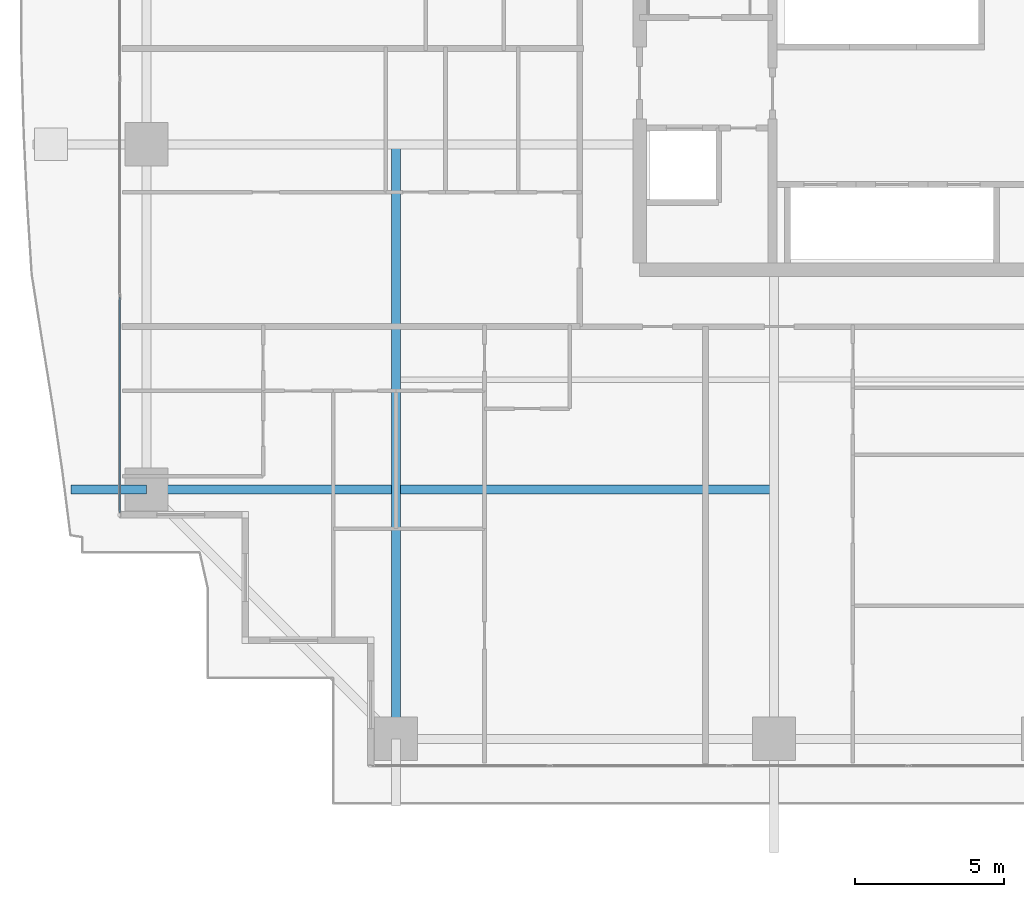
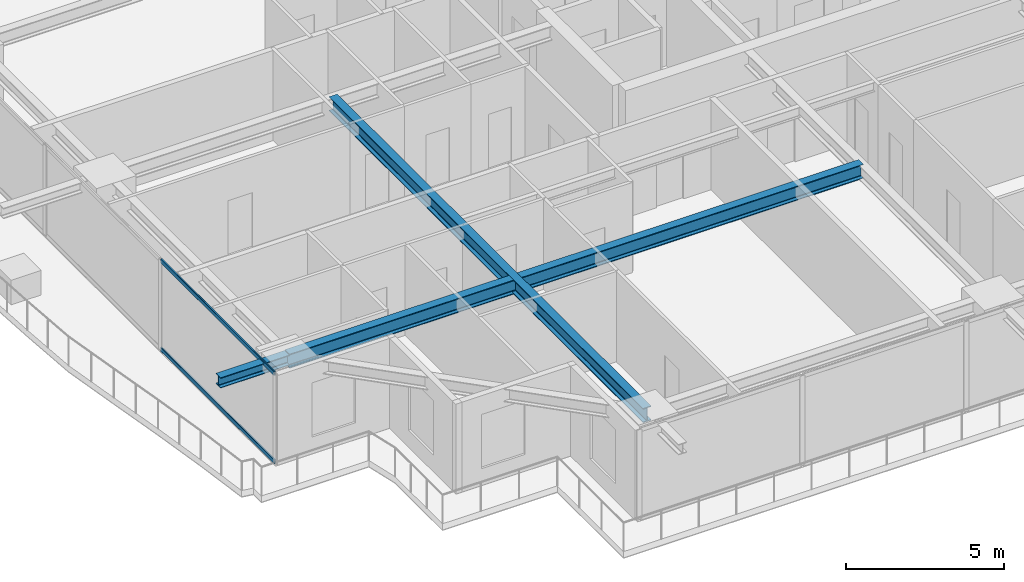
# One storey, part 3 of 35: 3 beams, 2 members, 1 element without a shape of its own.
"""IFC4 building model written with IfcOpenShell, lengths in metres."""

from ifc_helpers import new_model, si_unit, direction, frame, origin, origin_2d, place, context, subcontext, project, spatial, hollow_rectangle, i_section, extrude, source, transform, mapped, material, layer, layer_set, material_profile, profile_set, type_object, element, aggregate, save


model = new_model("IFC4")

# Units and contexts
model_context = context("Model", 3, precision=1e-05, world=origin(), true_north=direction((0.0, 1.0)))
body_context = subcontext(model_context, "Body", "Model", "MODEL_VIEW")
ifc_project = project(units=[si_unit("LENGTHUNIT", "METRE"), si_unit("AREAUNIT", "SQUARE_METRE"), si_unit("VOLUMEUNIT", "CUBIC_METRE"), si_unit("PLANEANGLEUNIT", "RADIAN"), si_unit("MASSUNIT", "GRAM", prefix="KILO")], contexts=[model_context])

# Site, building, storey
site_placement = place(None, origin())
site = spatial("IfcSite", under=ifc_project, at=site_placement, CompositionType="ELEMENT")
building_placement = place(site_placement, origin())
building = spatial("IfcBuilding", under=site, at=building_placement, Name="Serunith Strait Residences", CompositionType="ELEMENT")
storey_placement = place(building_placement, frame((0.0, 0.0, 71.699951171875)))
storey = spatial("IfcBuildingStorey", under=building, at=storey_placement, Name="L17", CompositionType="ELEMENT", Elevation=71.699951171875)

# Beams
ifc_material_1 = material(Name="Steel S355J2", Category="steel")
ifc_material_profile_1 = material_profile(ifc_material_1, i_section(OverallWidth=0.300048828125, OverallDepth=0.550048828125, WebThickness=0.014892578125, FlangeThickness=0.029052734375, FilletRadius=0.027099609375, at=origin_2d()), Name="HEB 550")
ifc_profile_set_1 = profile_set([ifc_material_profile_1], Name="Steel S355J2")
beam_type_1 = type_object("IfcBeamType", Name="BM-HEB550", PredefinedType="BEAM", material=ifc_profile_set_1)
shared_shape_1 = source(origin(), body_context, "Body", "SweptSolid", [
    extrude(i_section(OverallWidth=0.300048828125, OverallDepth=0.550048828125, WebThickness=0.014892578125, FlangeThickness=0.029052734375, FilletRadius=0.027099609375, at=origin_2d()), origin(), (0.0, 0.0, 1.0), 19.89990234375),
])
beam_1_placement = place(storey_placement, frame((15.25, 21.0, 3.212158203125), z_axis=(0.0, -1.0, 0.0), x_axis=(1.0, 0.0, 0.0)))
element("IfcBeam", 1, at=beam_1_placement, inside=storey, type_object=beam_type_1, Name="L17 Orthogonal Corner Girder TC-S1", PredefinedType="BEAM", context=body_context, shape_type="MappedRepresentation", body=[
    mapped(shared_shape_1, transform((0.0, 0.0, 0.0), scale=1.0)),
])
shared_shape_2 = source(origin(), body_context, "Body", "SweptSolid", [
    extrude(i_section(OverallWidth=0.300048828125, OverallDepth=0.550048828125, WebThickness=0.014892578125, FlangeThickness=0.029052734375, FilletRadius=0.027099609375, at=origin_2d()), origin(), (0.0, 0.0, 1.0), 21.0),
])
beam_2_placement = place(storey_placement, frame((27.89990234375, 9.449951171875, 3.212158203125), z_axis=(-1.0, 0.0, 0.0), x_axis=(0.0, -1.0, 0.0)))
element("IfcBeam", 2, at=beam_2_placement, inside=storey, type_object=beam_type_1, Name="L17 Orthogonal Corner Girder TC-W1", PredefinedType="BEAM", context=body_context, shape_type="MappedRepresentation", body=[
    mapped(shared_shape_2, transform((0.0, 0.0, 0.0), scale=1.0)),
])
ifc_material_profile_2 = material_profile(ifc_material_1, i_section(OverallWidth=0.300048828125, OverallDepth=0.39990234375, WebThickness=0.013427734375, FlangeThickness=0.02392578125, FilletRadius=0.027099609375, at=origin_2d()), Name="HEB 400")
ifc_profile_set_2 = profile_set([ifc_material_profile_2], Name="Steel S355J2")
beam_type_2 = type_object("IfcBeamType", Name="BM-HEB400", PredefinedType="BEAM", material=ifc_profile_set_2)
shared_shape_3 = source(origin(), body_context, "Body", "SweptSolid", [
    extrude(i_section(OverallWidth=0.300048828125, OverallDepth=0.39990234375, WebThickness=0.013427734375, FlangeThickness=0.02392578125, FilletRadius=0.027099609375, at=origin_2d()), origin(), (0.0, 0.0, 1.0), 2.522705078125),
])
beam_3_placement = place(storey_placement, frame((6.89990234375, 9.449951171875, 3.257080078125), z_axis=(-1.0, 0.0, 0.0), x_axis=(0.0, -1.0, 0.0)))
element("IfcBeam", 3, at=beam_3_placement, inside=storey, type_object=beam_type_2, Name="L18 Cantilevered Balcony Rib TC-W1", PredefinedType="BEAM", context=body_context, shape_type="MappedRepresentation", body=[
    mapped(shared_shape_3, transform((0.0, 0.0, 0.0), scale=1.0)),
])

# Curtain wall, members
ifc_material_2 = material(Name="Pale-Champagne Anodised Aluminium", Category="aluminium")
ifc_layer = layer(ifc_material_2, 0.199951171875, Name="Pale-Champagne Anodised Aluminium")
ifc_layer_set = layer_set([ifc_layer], Name="Pale-Champagne Anodised Aluminium")
curtain_wall_type = type_object("IfcCurtainWallType", Name="CW-SYS1", PredefinedType="NOTDEFINED", material=ifc_layer_set)
curtain_wall_placement = place(storey_placement, origin())
curtain_wall = element("IfcCurtainWall", 4, at=curtain_wall_placement, inside=storey, type_object=curtain_wall_type, Name="L17 W Unitised Fritted Curtain Wall", PredefinedType="NOTDEFINED")
ifc_material_profile_3 = material_profile(ifc_material_2, hollow_rectangle(XDim=0.06005859375, YDim=0.159912109375, WallThickness=0.00341796875, InnerFilletRadius=0.00537109375, OuterFilletRadius=0.0087890625, at=origin_2d()), Name="ALU 160x60x3.5")
ifc_profile_set_3 = profile_set([ifc_material_profile_3], Name="Pale-Champagne Anodised Aluminium")
member_type = type_object("IfcMemberType", Name="CW-SYS1-TRAN", PredefinedType="USERDEFINED", material=ifc_profile_set_3)
shared_shape_4 = source(origin(), body_context, "Body", "SweptSolid", [
    extrude(hollow_rectangle(XDim=0.06005859375, YDim=0.159912109375, WallThickness=0.00341796875, InnerFilletRadius=0.00537109375, OuterFilletRadius=0.0087890625, at=origin_2d()), origin(), (0.0, 0.0, 1.0), 7.195068359375),
])
member_1_placement = place(storey_placement, frame((6.0, 15.864990234375, 0.030029296875), z_axis=(0.0, -1.0, 0.0), x_axis=(1.0, 0.0, 0.0)))
member_1 = element("IfcMember", 5, at=member_1_placement, type_object=member_type, Name="CW-1 transom 3.1", ObjectType="TRANSOM", PredefinedType="USERDEFINED", context=body_context, shape_type="MappedRepresentation", body=[
    mapped(shared_shape_4, transform((0.0, 0.0, 0.0), scale=1.0)),
])
member_2_placement = place(storey_placement, frame((6.0, 15.864990234375, 3.445068359375), z_axis=(0.0, -1.0, 0.0), x_axis=(1.0, 0.0, 0.0)))
member_2 = element("IfcMember", 6, at=member_2_placement, type_object=member_type, Name="CW-1 transom 3.2", ObjectType="TRANSOM", PredefinedType="USERDEFINED", context=body_context, shape_type="MappedRepresentation", body=[
    mapped(shared_shape_4, transform((0.0, 0.0, 0.0), scale=1.0)),
])
aggregate(curtain_wall, [member_1, member_2])

save(model, "model.ifc")
